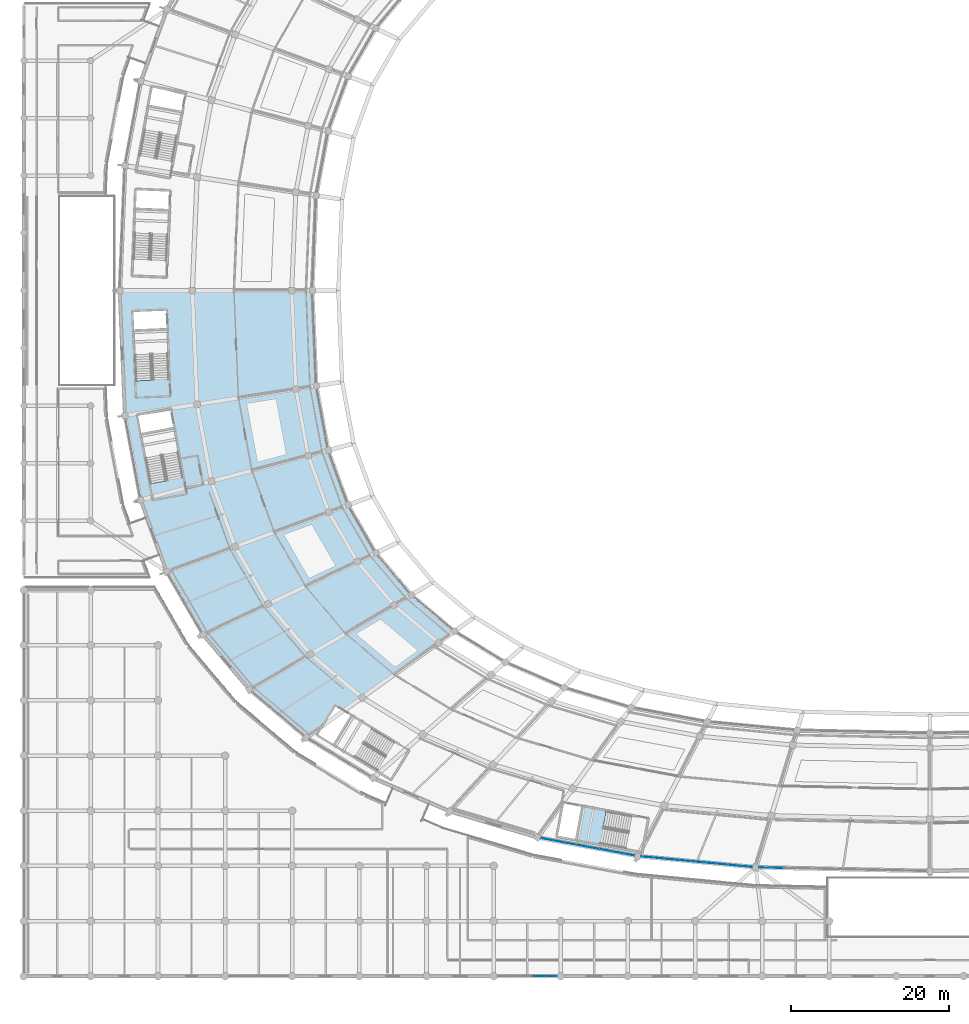
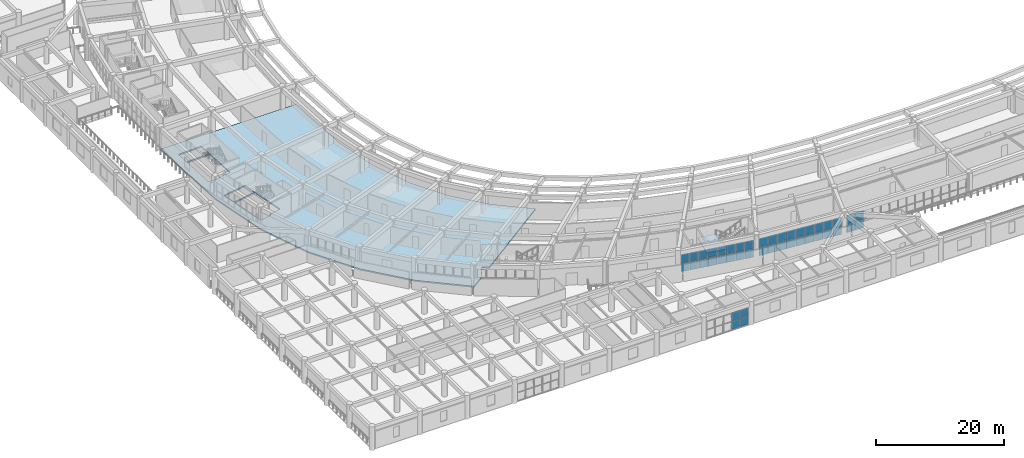
# One storey, part 78 of 145: 42 plates, 2 slabs, 5 elements without a shape of their own.
"""IFC4 building model written with IfcOpenShell, lengths in metres."""

from ifc_helpers import new_model, si_unit, direction, frame, origin, origin_2d, place, context, subcontext, project, spatial, polyline, rectangle, outline, extrude, material, layer, layer_set, type_object, element, aggregate, save


model = new_model("IFC4")

# Units and contexts
model_context = context("Model", 3, precision=1e-05, world=origin(), true_north=direction((0.0, 1.0)))
body_context = subcontext(model_context, "Body", "Model", "MODEL_VIEW")
ifc_project = project(units=[si_unit("LENGTHUNIT", "METRE"), si_unit("AREAUNIT", "SQUARE_METRE"), si_unit("VOLUMEUNIT", "CUBIC_METRE"), si_unit("PLANEANGLEUNIT", "RADIAN"), si_unit("MASSUNIT", "GRAM", prefix="KILO")], contexts=[model_context])

# Site, building, storey
site_placement = place(None, origin())
site = spatial("IfcSite", under=ifc_project, at=site_placement, CompositionType="ELEMENT")
building_placement = place(site_placement, origin())
building = spatial("IfcBuilding", under=site, at=building_placement, Name="Mphavela Belvedere Stadium", CompositionType="ELEMENT")
storey_placement = place(building_placement, frame((0.0, 0.0, 10.199951171875)))
storey = spatial("IfcBuildingStorey", under=building, at=storey_placement, Name="L02", CompositionType="ELEMENT", Elevation=10.199951171875)

# Curtain wall, plates
ifc_material_1 = material(Name="Anodised bronze unitised curtain wall framing")
ifc_layer_1 = layer(ifc_material_1, 0.18505859375)
ifc_layer_set_1 = layer_set([ifc_layer_1], Name="Anodised bronze unitised curtain wall framing")
curtain_wall_type_1 = type_object("IfcCurtainWallType", Name="CW-UNIT-02", PredefinedType="USERDEFINED", material=ifc_layer_set_1)
curtain_wall_1_placement = place(storey_placement, origin())
curtain_wall_1 = element("IfcCurtainWall", 1, at=curtain_wall_1_placement, inside=storey, type_object=curtain_wall_type_1, Name="Belvedere colonnade curtain wall L02-34", ObjectType="UNITISED CURTAIN WALL", PredefinedType="USERDEFINED")
ifc_material_2 = material(Name="Solar-control double glazing", Category="glass")
ifc_layer_2 = layer(ifc_material_2, 0.031982421875)
ifc_layer_set_2 = layer_set([ifc_layer_2], Name="Solar-control double glazing")
plate_type = type_object("IfcPlateType", Name="CWP-SOLAR-GLASS", PredefinedType="CURTAIN_PANEL", material=ifc_layer_set_2)
plate_1_placement = place(storey_placement, frame((66.352783203125, 17.38818359375, 0.06005859375), z_axis=(0.0, 0.0, 1.0), x_axis=(0.983097097753, -0.1830849431, 0.0)))
plate_1 = element("IfcPlate", 2, at=plate_1_placement, type_object=plate_type, Name="CW-02 panel 1.1", PredefinedType="CURTAIN_PANEL", context=body_context, shape_type="SweptSolid", body=[
    extrude(rectangle(XDim=1.42138671875, YDim=0.031982421875, at=origin_2d()), origin(), (0.0, 0.0, 1.0), 1.6201171875),
])
plate_2_placement = place(storey_placement, frame((66.352783203125, 17.38818359375, 1.739990234375), z_axis=(0.0, 0.0, 1.0), x_axis=(0.983097097753, -0.1830849431, 0.0)))
plate_2 = element("IfcPlate", 3, at=plate_2_placement, type_object=plate_type, Name="CW-02 panel 1.2", PredefinedType="CURTAIN_PANEL", context=body_context, shape_type="SweptSolid", body=[
    extrude(rectangle(XDim=1.42138671875, YDim=0.031982421875, at=origin_2d()), origin(), (0.0, 0.0, 1.0), 1.6201171875),
])
plate_3_placement = place(storey_placement, frame((67.829833984375, 17.113037109375, 0.06005859375), z_axis=(0.0, 0.0, 1.0), x_axis=(0.983097097753, -0.1830849431, 0.0)))
plate_3 = element("IfcPlate", 4, at=plate_3_placement, type_object=plate_type, Name="CW-02 panel 2.1", PredefinedType="CURTAIN_PANEL", context=body_context, shape_type="SweptSolid", body=[
    extrude(rectangle(XDim=1.453857421875, YDim=0.031982421875, at=origin_2d()), origin(), (0.0, 0.0, 1.0), 1.6201171875),
])
plate_4_placement = place(storey_placement, frame((67.829833984375, 17.113037109375, 1.739990234375), z_axis=(0.0, 0.0, 1.0), x_axis=(0.983097097753, -0.1830849431, 0.0)))
plate_4 = element("IfcPlate", 5, at=plate_4_placement, type_object=plate_type, Name="CW-02 panel 2.2", PredefinedType="CURTAIN_PANEL", context=body_context, shape_type="SweptSolid", body=[
    extrude(rectangle(XDim=1.453857421875, YDim=0.031982421875, at=origin_2d()), origin(), (0.0, 0.0, 1.0), 1.6201171875),
])
plate_5_placement = place(storey_placement, frame((69.3232421875, 16.8349609375, 0.06005859375), z_axis=(0.0, 0.0, 1.0), x_axis=(0.983097097753, -0.1830849431, 0.0)))
plate_5 = element("IfcPlate", 6, at=plate_5_placement, type_object=plate_type, Name="CW-02 panel 3.1", PredefinedType="CURTAIN_PANEL", context=body_context, shape_type="SweptSolid", body=[
    extrude(rectangle(XDim=1.453857421875, YDim=0.031982421875, at=origin_2d()), origin(), (0.0, 0.0, 1.0), 1.6201171875),
])
plate_6_placement = place(storey_placement, frame((69.3232421875, 16.8349609375, 1.739990234375), z_axis=(0.0, 0.0, 1.0), x_axis=(0.983097097753, -0.1830849431, 0.0)))
plate_6 = element("IfcPlate", 7, at=plate_6_placement, type_object=plate_type, Name="CW-02 panel 3.2", PredefinedType="CURTAIN_PANEL", context=body_context, shape_type="SweptSolid", body=[
    extrude(rectangle(XDim=1.453857421875, YDim=0.031982421875, at=origin_2d()), origin(), (0.0, 0.0, 1.0), 1.6201171875),
])
plate_7_placement = place(storey_placement, frame((70.81640625, 16.556884765625, 0.06005859375), z_axis=(0.0, 0.0, 1.0), x_axis=(0.983097097753, -0.1830849431, 0.0)))
plate_7 = element("IfcPlate", 8, at=plate_7_placement, type_object=plate_type, Name="CW-02 panel 4.1", PredefinedType="CURTAIN_PANEL", context=body_context, shape_type="SweptSolid", body=[
    extrude(rectangle(XDim=1.453857421875, YDim=0.031982421875, at=origin_2d()), origin(), (0.0, 0.0, 1.0), 1.6201171875),
])
plate_8_placement = place(storey_placement, frame((70.81640625, 16.556884765625, 1.739990234375), z_axis=(0.0, 0.0, 1.0), x_axis=(0.983097097753, -0.1830849431, 0.0)))
plate_8 = element("IfcPlate", 9, at=plate_8_placement, type_object=plate_type, Name="CW-02 panel 4.2", PredefinedType="CURTAIN_PANEL", context=body_context, shape_type="SweptSolid", body=[
    extrude(rectangle(XDim=1.453857421875, YDim=0.031982421875, at=origin_2d()), origin(), (0.0, 0.0, 1.0), 1.6201171875),
])
plate_9_placement = place(storey_placement, frame((72.3095703125, 16.27880859375, 0.06005859375), z_axis=(0.0, 0.0, 1.0), x_axis=(0.983097097753, -0.1830849431, 0.0)))
plate_9 = element("IfcPlate", 10, at=plate_9_placement, type_object=plate_type, Name="CW-02 panel 5.1", PredefinedType="CURTAIN_PANEL", context=body_context, shape_type="SweptSolid", body=[
    extrude(rectangle(XDim=1.453857421875, YDim=0.031982421875, at=origin_2d()), origin(), (0.0, 0.0, 1.0), 1.6201171875),
])
plate_10_placement = place(storey_placement, frame((72.3095703125, 16.27880859375, 1.739990234375), z_axis=(0.0, 0.0, 1.0), x_axis=(0.983097097753, -0.1830849431, 0.0)))
plate_10 = element("IfcPlate", 11, at=plate_10_placement, type_object=plate_type, Name="CW-02 panel 5.2", PredefinedType="CURTAIN_PANEL", context=body_context, shape_type="SweptSolid", body=[
    extrude(rectangle(XDim=1.453857421875, YDim=0.031982421875, at=origin_2d()), origin(), (0.0, 0.0, 1.0), 1.6201171875),
])
plate_11_placement = place(storey_placement, frame((73.802734375, 16.000732421875, 0.06005859375), z_axis=(0.0, 0.0, 1.0), x_axis=(0.983097097753, -0.1830849431, 0.0)))
plate_11 = element("IfcPlate", 12, at=plate_11_placement, type_object=plate_type, Name="CW-02 panel 6.1", PredefinedType="CURTAIN_PANEL", context=body_context, shape_type="SweptSolid", body=[
    extrude(rectangle(XDim=1.453857421875, YDim=0.031982421875, at=origin_2d()), origin(), (0.0, 0.0, 1.0), 1.6201171875),
])
plate_12_placement = place(storey_placement, frame((73.802734375, 16.000732421875, 1.739990234375), z_axis=(0.0, 0.0, 1.0), x_axis=(0.983097097753, -0.1830849431, 0.0)))
plate_12 = element("IfcPlate", 13, at=plate_12_placement, type_object=plate_type, Name="CW-02 panel 6.2", PredefinedType="CURTAIN_PANEL", context=body_context, shape_type="SweptSolid", body=[
    extrude(rectangle(XDim=1.453857421875, YDim=0.031982421875, at=origin_2d()), origin(), (0.0, 0.0, 1.0), 1.6201171875),
])
plate_13_placement = place(storey_placement, frame((75.296142578125, 15.72265625, 0.06005859375), z_axis=(0.0, 0.0, 1.0), x_axis=(0.983097097753, -0.1830849431, 0.0)))
plate_13 = element("IfcPlate", 14, at=plate_13_placement, type_object=plate_type, Name="CW-02 panel 7.1", PredefinedType="CURTAIN_PANEL", context=body_context, shape_type="SweptSolid", body=[
    extrude(rectangle(XDim=1.453857421875, YDim=0.031982421875, at=origin_2d()), origin(), (0.0, 0.0, 1.0), 1.6201171875),
])
plate_14_placement = place(storey_placement, frame((75.296142578125, 15.72265625, 1.739990234375), z_axis=(0.0, 0.0, 1.0), x_axis=(0.983097097753, -0.1830849431, 0.0)))
plate_14 = element("IfcPlate", 15, at=plate_14_placement, type_object=plate_type, Name="CW-02 panel 7.2", PredefinedType="CURTAIN_PANEL", context=body_context, shape_type="SweptSolid", body=[
    extrude(rectangle(XDim=1.453857421875, YDim=0.031982421875, at=origin_2d()), origin(), (0.0, 0.0, 1.0), 1.6201171875),
])
plate_15_placement = place(storey_placement, frame((76.773193359375, 15.447509765625, 0.06005859375), z_axis=(0.0, 0.0, 1.0), x_axis=(0.983097097753, -0.1830849431, 0.0)))
plate_15 = element("IfcPlate", 16, at=plate_15_placement, type_object=plate_type, Name="CW-02 panel 8.1", PredefinedType="CURTAIN_PANEL", context=body_context, shape_type="SweptSolid", body=[
    extrude(rectangle(XDim=1.42138671875, YDim=0.031982421875, at=origin_2d()), origin(), (0.0, 0.0, 1.0), 1.6201171875),
])
plate_16_placement = place(storey_placement, frame((76.773193359375, 15.447509765625, 1.739990234375), z_axis=(0.0, 0.0, 1.0), x_axis=(0.983097097753, -0.1830849431, 0.0)))
plate_16 = element("IfcPlate", 17, at=plate_16_placement, type_object=plate_type, Name="CW-02 panel 8.2", PredefinedType="CURTAIN_PANEL", context=body_context, shape_type="SweptSolid", body=[
    extrude(rectangle(XDim=1.42138671875, YDim=0.031982421875, at=origin_2d()), origin(), (0.0, 0.0, 1.0), 1.6201171875),
])
aggregate(curtain_wall_1, [plate_1, plate_2, plate_3, plate_4, plate_5, plate_6, plate_7, plate_8, plate_9, plate_10, plate_11, plate_12, plate_13, plate_14, plate_15, plate_16])

ifc_material_3 = material(Name="Anodised bronze unitised curtain wall framing")
ifc_layer_3 = layer(ifc_material_3, 0.18994140625)
ifc_layer_set_3 = layer_set([ifc_layer_3], Name="Anodised bronze unitised curtain wall framing")
curtain_wall_type_2 = type_object("IfcCurtainWallType", Name="CW-UNIT-03", PredefinedType="USERDEFINED", material=ifc_layer_set_3)
curtain_wall_2_placement = place(storey_placement, origin())
curtain_wall_2 = element("IfcCurtainWall", 18, at=curtain_wall_2_placement, inside=storey, type_object=curtain_wall_type_2, Name="Belvedere colonnade curtain wall L02-35", ObjectType="UNITISED CURTAIN WALL", PredefinedType="USERDEFINED")
plate_17_placement = place(storey_placement, frame((79.12646484375, 15.1181640625, 0.06005859375), z_axis=(0.0, 0.0, 1.0), x_axis=(0.99548434828, -0.094925825406, 0.0)))
plate_17 = element("IfcPlate", 19, at=plate_17_placement, type_object=plate_type, Name="CW-03 panel 1.1", PredefinedType="CURTAIN_PANEL", context=body_context, shape_type="SweptSolid", body=[
    extrude(rectangle(XDim=1.483642578125, YDim=0.031982421875, at=origin_2d()), origin(), (0.0, 0.0, 1.0), 1.6201171875),
])
plate_18_placement = place(storey_placement, frame((79.12646484375, 15.1181640625, 1.739990234375), z_axis=(0.0, 0.0, 1.0), x_axis=(0.99548434828, -0.094925825406, 0.0)))
plate_18 = element("IfcPlate", 20, at=plate_18_placement, type_object=plate_type, Name="CW-03 panel 1.2", PredefinedType="CURTAIN_PANEL", context=body_context, shape_type="SweptSolid", body=[
    extrude(rectangle(XDim=1.483642578125, YDim=0.031982421875, at=origin_2d()), origin(), (0.0, 0.0, 1.0), 1.6201171875),
])
plate_19_placement = place(storey_placement, frame((80.684326171875, 14.9697265625, 0.06005859375), z_axis=(0.0, 0.0, 1.0), x_axis=(0.99548434828, -0.094925825406, 0.0)))
plate_19 = element("IfcPlate", 21, at=plate_19_placement, type_object=plate_type, Name="CW-03 panel 2.1", PredefinedType="CURTAIN_PANEL", context=body_context, shape_type="SweptSolid", body=[
    extrude(rectangle(XDim=1.51611328125, YDim=0.031982421875, at=origin_2d()), origin(), (0.0, 0.0, 1.0), 1.6201171875),
])
plate_20_placement = place(storey_placement, frame((80.684326171875, 14.9697265625, 1.739990234375), z_axis=(0.0, 0.0, 1.0), x_axis=(0.99548434828, -0.094925825406, 0.0)))
plate_20 = element("IfcPlate", 22, at=plate_20_placement, type_object=plate_type, Name="CW-03 panel 2.2", PredefinedType="CURTAIN_PANEL", context=body_context, shape_type="SweptSolid", body=[
    extrude(rectangle(XDim=1.51611328125, YDim=0.031982421875, at=origin_2d()), origin(), (0.0, 0.0, 1.0), 1.6201171875),
])
plate_21_placement = place(storey_placement, frame((82.25830078125, 14.819580078125, 0.06005859375), z_axis=(0.0, 0.0, 1.0), x_axis=(0.99548434828, -0.094925825406, 0.0)))
plate_21 = element("IfcPlate", 23, at=plate_21_placement, type_object=plate_type, Name="CW-03 panel 3.1", PredefinedType="CURTAIN_PANEL", context=body_context, shape_type="SweptSolid", body=[
    extrude(rectangle(XDim=1.51611328125, YDim=0.031982421875, at=origin_2d()), origin(), (0.0, 0.0, 1.0), 1.6201171875),
])
plate_22_placement = place(storey_placement, frame((82.25830078125, 14.819580078125, 1.739990234375), z_axis=(0.0, 0.0, 1.0), x_axis=(0.99548434828, -0.094925825406, 0.0)))
plate_22 = element("IfcPlate", 24, at=plate_22_placement, type_object=plate_type, Name="CW-03 panel 3.2", PredefinedType="CURTAIN_PANEL", context=body_context, shape_type="SweptSolid", body=[
    extrude(rectangle(XDim=1.51611328125, YDim=0.031982421875, at=origin_2d()), origin(), (0.0, 0.0, 1.0), 1.6201171875),
])
plate_23_placement = place(storey_placement, frame((83.832275390625, 14.66943359375, 0.06005859375), z_axis=(0.0, 0.0, 1.0), x_axis=(0.99548434828, -0.094925825406, 0.0)))
plate_23 = element("IfcPlate", 25, at=plate_23_placement, type_object=plate_type, Name="CW-03 panel 4.1", PredefinedType="CURTAIN_PANEL", context=body_context, shape_type="SweptSolid", body=[
    extrude(rectangle(XDim=1.51611328125, YDim=0.031982421875, at=origin_2d()), origin(), (0.0, 0.0, 1.0), 1.6201171875),
])
plate_24_placement = place(storey_placement, frame((83.832275390625, 14.66943359375, 1.739990234375), z_axis=(0.0, 0.0, 1.0), x_axis=(0.99548434828, -0.094925825406, 0.0)))
plate_24 = element("IfcPlate", 26, at=plate_24_placement, type_object=plate_type, Name="CW-03 panel 4.2", PredefinedType="CURTAIN_PANEL", context=body_context, shape_type="SweptSolid", body=[
    extrude(rectangle(XDim=1.51611328125, YDim=0.031982421875, at=origin_2d()), origin(), (0.0, 0.0, 1.0), 1.6201171875),
])
plate_25_placement = place(storey_placement, frame((85.40625, 14.519287109375, 0.06005859375), z_axis=(0.0, 0.0, 1.0), x_axis=(0.99548434828, -0.094925825406, 0.0)))
plate_25 = element("IfcPlate", 27, at=plate_25_placement, type_object=plate_type, Name="CW-03 panel 5.1", PredefinedType="CURTAIN_PANEL", context=body_context, shape_type="SweptSolid", body=[
    extrude(rectangle(XDim=1.51611328125, YDim=0.031982421875, at=origin_2d()), origin(), (0.0, 0.0, 1.0), 1.6201171875),
])
plate_26_placement = place(storey_placement, frame((85.40625, 14.519287109375, 1.739990234375), z_axis=(0.0, 0.0, 1.0), x_axis=(0.99548434828, -0.094925825406, 0.0)))
plate_26 = element("IfcPlate", 28, at=plate_26_placement, type_object=plate_type, Name="CW-03 panel 5.2", PredefinedType="CURTAIN_PANEL", context=body_context, shape_type="SweptSolid", body=[
    extrude(rectangle(XDim=1.51611328125, YDim=0.031982421875, at=origin_2d()), origin(), (0.0, 0.0, 1.0), 1.6201171875),
])
plate_27_placement = place(storey_placement, frame((86.980224609375, 14.369384765625, 0.06005859375), z_axis=(0.0, 0.0, 1.0), x_axis=(0.99548434828, -0.094925825406, 0.0)))
plate_27 = element("IfcPlate", 29, at=plate_27_placement, type_object=plate_type, Name="CW-03 panel 6.1", PredefinedType="CURTAIN_PANEL", context=body_context, shape_type="SweptSolid", body=[
    extrude(rectangle(XDim=1.51611328125, YDim=0.031982421875, at=origin_2d()), origin(), (0.0, 0.0, 1.0), 1.6201171875),
])
plate_28_placement = place(storey_placement, frame((86.980224609375, 14.369384765625, 1.739990234375), z_axis=(0.0, 0.0, 1.0), x_axis=(0.99548434828, -0.094925825406, 0.0)))
plate_28 = element("IfcPlate", 30, at=plate_28_placement, type_object=plate_type, Name="CW-03 panel 6.2", PredefinedType="CURTAIN_PANEL", context=body_context, shape_type="SweptSolid", body=[
    extrude(rectangle(XDim=1.51611328125, YDim=0.031982421875, at=origin_2d()), origin(), (0.0, 0.0, 1.0), 1.6201171875),
])
plate_29_placement = place(storey_placement, frame((88.55419921875, 14.21923828125, 0.06005859375), z_axis=(0.0, 0.0, 1.0), x_axis=(0.99548434828, -0.094925825406, 0.0)))
plate_29 = element("IfcPlate", 31, at=plate_29_placement, type_object=plate_type, Name="CW-03 panel 7.1", PredefinedType="CURTAIN_PANEL", context=body_context, shape_type="SweptSolid", body=[
    extrude(rectangle(XDim=1.51611328125, YDim=0.031982421875, at=origin_2d()), origin(), (0.0, 0.0, 1.0), 1.6201171875),
])
plate_30_placement = place(storey_placement, frame((88.55419921875, 14.21923828125, 1.739990234375), z_axis=(0.0, 0.0, 1.0), x_axis=(0.99548434828, -0.094925825406, 0.0)))
plate_30 = element("IfcPlate", 32, at=plate_30_placement, type_object=plate_type, Name="CW-03 panel 7.2", PredefinedType="CURTAIN_PANEL", context=body_context, shape_type="SweptSolid", body=[
    extrude(rectangle(XDim=1.51611328125, YDim=0.031982421875, at=origin_2d()), origin(), (0.0, 0.0, 1.0), 1.6201171875),
])
plate_31_placement = place(storey_placement, frame((90.128173828125, 14.069091796875, 0.06005859375), z_axis=(0.0, 0.0, 1.0), x_axis=(0.99548434828, -0.094925825406, 0.0)))
plate_31 = element("IfcPlate", 33, at=plate_31_placement, type_object=plate_type, Name="CW-03 panel 8.1", PredefinedType="CURTAIN_PANEL", context=body_context, shape_type="SweptSolid", body=[
    extrude(rectangle(XDim=1.51611328125, YDim=0.031982421875, at=origin_2d()), origin(), (0.0, 0.0, 1.0), 1.6201171875),
])
plate_32_placement = place(storey_placement, frame((90.128173828125, 14.069091796875, 1.739990234375), z_axis=(0.0, 0.0, 1.0), x_axis=(0.99548434828, -0.094925825406, 0.0)))
plate_32 = element("IfcPlate", 34, at=plate_32_placement, type_object=plate_type, Name="CW-03 panel 8.2", PredefinedType="CURTAIN_PANEL", context=body_context, shape_type="SweptSolid", body=[
    extrude(rectangle(XDim=1.51611328125, YDim=0.031982421875, at=origin_2d()), origin(), (0.0, 0.0, 1.0), 1.6201171875),
])
plate_33_placement = place(storey_placement, frame((91.68603515625, 13.920654296875, 0.06005859375), z_axis=(0.0, 0.0, 1.0), x_axis=(0.99548434828, -0.094925825406, 0.0)))
plate_33 = element("IfcPlate", 35, at=plate_33_placement, type_object=plate_type, Name="CW-03 panel 9.1", PredefinedType="CURTAIN_PANEL", context=body_context, shape_type="SweptSolid", body=[
    extrude(rectangle(XDim=1.483642578125, YDim=0.031982421875, at=origin_2d()), origin(), (0.0, 0.0, 1.0), 1.6201171875),
])
plate_34_placement = place(storey_placement, frame((91.68603515625, 13.920654296875, 1.739990234375), z_axis=(0.0, 0.0, 1.0), x_axis=(0.99548434828, -0.094925825406, 0.0)))
plate_34 = element("IfcPlate", 36, at=plate_34_placement, type_object=plate_type, Name="CW-03 panel 9.2", PredefinedType="CURTAIN_PANEL", context=body_context, shape_type="SweptSolid", body=[
    extrude(rectangle(XDim=1.483642578125, YDim=0.031982421875, at=origin_2d()), origin(), (0.0, 0.0, 1.0), 1.6201171875),
])
aggregate(curtain_wall_2, [plate_17, plate_18, plate_19, plate_20, plate_21, plate_22, plate_23, plate_24, plate_25, plate_26, plate_27, plate_28, plate_29, plate_30, plate_31, plate_32, plate_33, plate_34])

ifc_material_4 = material(Name="Anodised bronze unitised curtain wall framing")
ifc_layer_4 = layer(ifc_material_4, 0.195068359375)
ifc_layer_set_4 = layer_set([ifc_layer_4], Name="Anodised bronze unitised curtain wall framing")
curtain_wall_type_3 = type_object("IfcCurtainWallType", Name="CW-UNIT-04", PredefinedType="USERDEFINED", material=ifc_layer_set_4)
curtain_wall_3_placement = place(storey_placement, origin())
curtain_wall_3 = element("IfcCurtainWall", 37, at=curtain_wall_3_placement, inside=storey, type_object=curtain_wall_type_3, Name="Belvedere colonnade curtain wall L02-36", ObjectType="UNITISED CURTAIN WALL", PredefinedType="USERDEFINED")
plate_35_placement = place(storey_placement, frame((94.06103515625, 13.78076171875, 0.06005859375), z_axis=(0.0, 0.0, 1.0), x_axis=(0.999768303802, -0.021525304021, 0.0)))
plate_35 = element("IfcPlate", 38, at=plate_35_placement, type_object=plate_type, Name="CW-04 panel 1.1", PredefinedType="CURTAIN_PANEL", context=body_context, shape_type="SweptSolid", body=[
    extrude(rectangle(XDim=1.425537109375, YDim=0.031982421875, at=origin_2d()), origin(), (0.0, 0.0, 1.0), 1.6201171875),
])
plate_36_placement = place(storey_placement, frame((94.06103515625, 13.78076171875, 1.739990234375), z_axis=(0.0, 0.0, 1.0), x_axis=(0.999768303802, -0.021525304021, 0.0)))
plate_36 = element("IfcPlate", 39, at=plate_36_placement, type_object=plate_type, Name="CW-04 panel 1.2", PredefinedType="CURTAIN_PANEL", context=body_context, shape_type="SweptSolid", body=[
    extrude(rectangle(XDim=1.425537109375, YDim=0.031982421875, at=origin_2d()), origin(), (0.0, 0.0, 1.0), 1.6201171875),
])
plate_37_placement = place(storey_placement, frame((95.5673828125, 13.74853515625, 0.06005859375), z_axis=(0.0, 0.0, 1.0), x_axis=(0.999768303802, -0.021525304021, 0.0)))
plate_37 = element("IfcPlate", 40, at=plate_37_placement, type_object=plate_type, Name="CW-04 panel 2.1", PredefinedType="CURTAIN_PANEL", context=body_context, shape_type="SweptSolid", body=[
    extrude(rectangle(XDim=1.4580078125, YDim=0.031982421875, at=origin_2d()), origin(), (0.0, 0.0, 1.0), 1.6201171875),
])
plate_38_placement = place(storey_placement, frame((95.5673828125, 13.74853515625, 1.739990234375), z_axis=(0.0, 0.0, 1.0), x_axis=(0.999768303802, -0.021525304021, 0.0)))
plate_38 = element("IfcPlate", 41, at=plate_38_placement, type_object=plate_type, Name="CW-04 panel 2.2", PredefinedType="CURTAIN_PANEL", context=body_context, shape_type="SweptSolid", body=[
    extrude(rectangle(XDim=1.4580078125, YDim=0.031982421875, at=origin_2d()), origin(), (0.0, 0.0, 1.0), 1.6201171875),
])
aggregate(curtain_wall_3, [plate_35, plate_36, plate_37, plate_38])

curtain_wall_4_placement = place(storey_placement, origin())
curtain_wall_4 = element("IfcCurtainWall", 42, at=curtain_wall_4_placement, inside=storey, type_object=curtain_wall_type_1, Name="South Axial Triumphal Peristyle Portico gallery curtain wall L02-08", ObjectType="UNITISED CURTAIN WALL", PredefinedType="USERDEFINED")
plate_39_placement = place(storey_placement, frame((66.901611328125, 0.0, 0.06005859375), z_axis=(0.0, 0.0, 1.0), x_axis=(-1.0, 0.0, 0.0)))
plate_39 = element("IfcPlate", 43, at=plate_39_placement, type_object=plate_type, Name="CW-02 panel 1.1", PredefinedType="CURTAIN_PANEL", context=body_context, shape_type="SweptSolid", body=[
    extrude(rectangle(XDim=1.4169921875, YDim=0.031982421875, at=origin_2d()), origin(), (0.0, 0.0, 1.0), 1.5400390625),
])
plate_40_placement = place(storey_placement, frame((66.901611328125, 0.0, 1.659912109375), z_axis=(0.0, 0.0, 1.0), x_axis=(-1.0, 0.0, 0.0)))
plate_40 = element("IfcPlate", 44, at=plate_40_placement, type_object=plate_type, Name="CW-02 panel 1.2", PredefinedType="CURTAIN_PANEL", context=body_context, shape_type="SweptSolid", body=[
    extrude(rectangle(XDim=1.4169921875, YDim=0.031982421875, at=origin_2d()), origin(), (0.0, 0.0, 1.0), 1.5400390625),
])
plate_41_placement = place(storey_placement, frame((65.4033203125, 0.0, 0.06005859375), z_axis=(0.0, 0.0, 1.0), x_axis=(-1.0, 0.0, 0.0)))
plate_41 = element("IfcPlate", 45, at=plate_41_placement, type_object=plate_type, Name="CW-02 panel 2.1", PredefinedType="CURTAIN_PANEL", context=body_context, shape_type="SweptSolid", body=[
    extrude(rectangle(XDim=1.449462890625, YDim=0.031982421875, at=origin_2d()), origin(), (0.0, 0.0, 1.0), 1.5400390625),
])
plate_42_placement = place(storey_placement, frame((65.4033203125, 0.0, 1.659912109375), z_axis=(0.0, 0.0, 1.0), x_axis=(-1.0, 0.0, 0.0)))
plate_42 = element("IfcPlate", 46, at=plate_42_placement, type_object=plate_type, Name="CW-02 panel 2.2", PredefinedType="CURTAIN_PANEL", context=body_context, shape_type="SweptSolid", body=[
    extrude(rectangle(XDim=1.449462890625, YDim=0.031982421875, at=origin_2d()), origin(), (0.0, 0.0, 1.0), 1.5400390625),
])
aggregate(curtain_wall_4, [plate_39, plate_40, plate_41, plate_42])

# Slab
ifc_material_5 = material(Name="Concrete C40/50", Category="concrete")
ifc_layer_5 = layer(ifc_material_5, 0.25)
ifc_layer_set_5 = layer_set([ifc_layer_5], Name="Concrete C40/50")
slab_type_1 = type_object("IfcSlabType", Name="SLB-CONCOURSE-250", PredefinedType="FLOOR", material=ifc_layer_set_5)
slab_1_placement = place(storey_placement, frame((0.0, 0.0, -0.25)))
element("IfcSlab", 47, at=slab_1_placement, inside=storey, type_object=slab_type_1, Name="Concourse sector slab L02-S5", PredefinedType="FLOOR", context=body_context, shape_type="SweptSolid", body=[
    extrude(outline(polyline([(18.143798828125, 51.317626953125), (14.83544921875, 60.4375), (12.844482421875, 71.155029296875), (12.179931640625, 87.0), (36.6240234375, 87.0), (37.130615234375, 74.921875), (38.648193359375, 66.75244140625), (41.170166015625, 59.80078125), (44.68701171875, 53.718505859375), (49.1875, 48.388671875), (54.66259765625, 43.7685546875), (40.532958984375, 33.644775390625), (39.5341796875, 34.252197265625), (38.10791015625, 31.9072265625), (35.844482421875, 30.285400390625), (28.66162109375, 36.346435546875), (22.757568359375, 43.33837890625), (18.143798828125, 51.317626953125)]), holes=[polyline([(16.327880859375, 75.97509765625), (18.421142578125, 76.062744140625), (18.17138671875, 82.017578125), (13.985107421875, 81.842041015625), (14.248779296875, 75.551513671875), (16.342041015625, 75.639404296875), (16.327880859375, 75.97509765625)]), polyline([(18.067626953125, 84.495361328125), (13.88134765625, 84.31982421875), (13.97607421875, 82.061767578125), (18.162353515625, 82.2373046875), (18.067626953125, 84.495361328125)]), polyline([(16.08642578125, 62.51025390625), (18.146240234375, 62.892578125), (18.0849609375, 63.222900390625), (20.144775390625, 63.60546875), (19.056396484375, 69.46533203125), (14.93701171875, 68.7001953125), (16.08642578125, 62.51025390625)]), polyline([(14.896728515625, 68.91650390625), (19.016357421875, 69.681640625), (18.603759765625, 71.903564453125), (14.484130859375, 71.138671875), (14.896728515625, 68.91650390625)])]), origin(), (0.0, 0.0, 1.0), 0.25),
])

# Stair, slab
ifc_material_6 = material(Name="Concrete C40/50", Category="concrete")
stair_type = type_object("IfcStairType", Name="STR-HALF-TURN-2", PredefinedType="HALF_TURN_STAIR", material=ifc_material_6)
stair_placement = place(storey_placement, origin())
stair = element("IfcStair", 48, at=stair_placement, inside=storey, type_object=stair_type, Name="L02 Escape stair core C11", PredefinedType="HALF_TURN_STAIR")
ifc_material_7 = material(Name="Concrete C40/50", Category="concrete")
ifc_layer_6 = layer(ifc_material_7, 0.199951171875)
ifc_layer_set_6 = layer_set([ifc_layer_6], Name="Concrete C40/50")
slab_type_2 = type_object("IfcSlabType", Name="SLB-LANDING-200", PredefinedType="LANDING", material=ifc_layer_set_6)
slab_2_placement = place(storey_placement, frame((0.0, 0.0, 2.050048828125)))
slab_2 = element("IfcSlab", 49, at=slab_2_placement, type_object=slab_type_2, Name="ST-C11 landing 1", PredefinedType="LANDING", context=body_context, shape_type="SweptSolid", body=[
    extrude(outline(polyline([(73.931640625, 21.0498046875), (70.9990234375, 21.59619140625), (70.18798828125, 17.240966796875), (73.469482421875, 16.6298828125), (73.875, 18.807373046875), (73.52587890625, 18.872314453125), (73.931640625, 21.0498046875)])), origin(), (0.0, 0.0, 1.0), 0.199951171875),
])
aggregate(stair, [slab_2])

save(model, "model.ifc")
